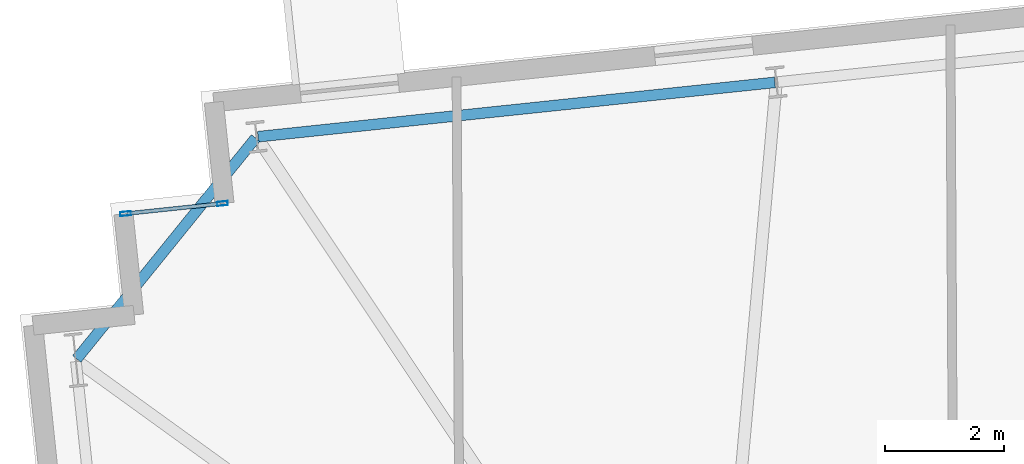
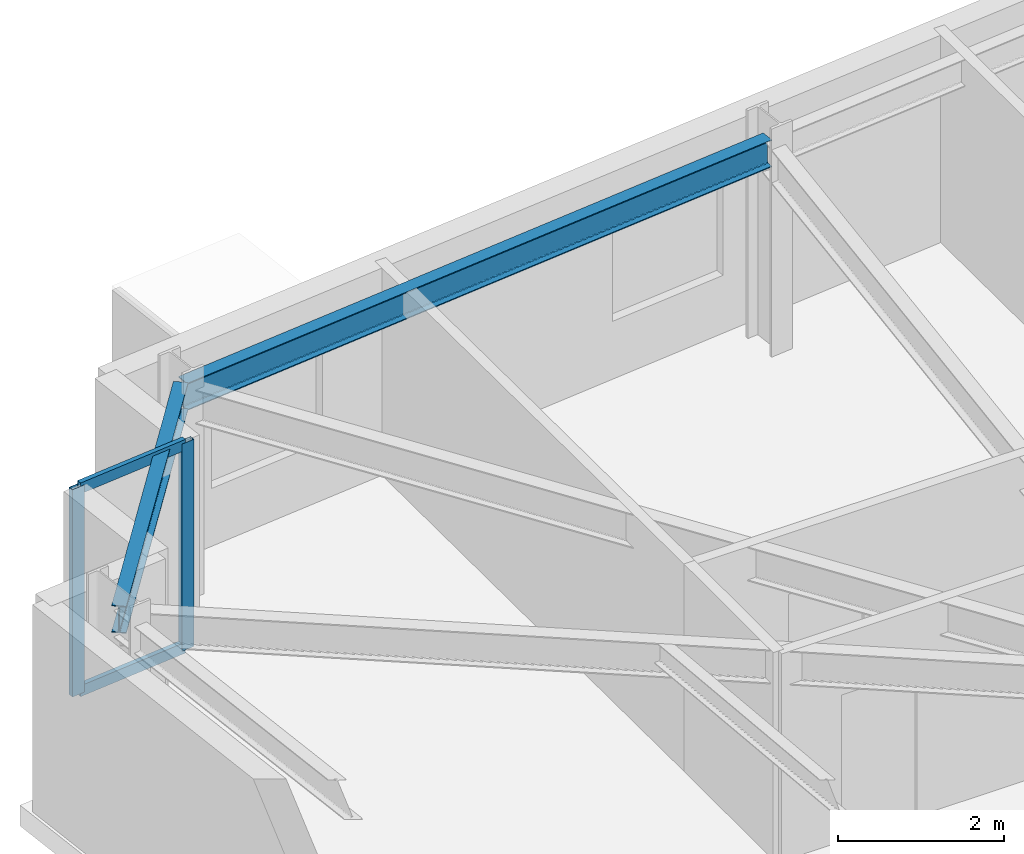
# One storey, part 8 of 18: 4 members, 2 beams, 1 element without a shape of its own.
"""IFC4 building model written with IfcOpenShell, lengths in metres."""

from ifc_helpers import new_model, si_unit, direction, frame, origin, origin_2d, place, context, subcontext, project, spatial, hollow_rectangle, i_section, extrude, material, layer, layer_set, material_profile, profile_set, type_object, element, aggregate, save


model = new_model("IFC4")

# Units and contexts
model_context = context("Model", 3, precision=1e-05, world=origin(), true_north=direction((0.0, 1.0)))
body_context = subcontext(model_context, "Body", "Model", "MODEL_VIEW")
ifc_project = project(units=[si_unit("LENGTHUNIT", "METRE"), si_unit("AREAUNIT", "SQUARE_METRE"), si_unit("VOLUMEUNIT", "CUBIC_METRE"), si_unit("PLANEANGLEUNIT", "RADIAN"), si_unit("MASSUNIT", "GRAM", prefix="KILO")], contexts=[model_context])

# Site, building, storey
site_placement = place(None, origin())
site = spatial("IfcSite", under=ifc_project, at=site_placement, CompositionType="ELEMENT")
building_placement = place(site_placement, origin())
building = spatial("IfcBuilding", under=site, at=building_placement, Name="Qobustan Lattice House", CompositionType="ELEMENT")
storey_placement = place(building_placement, frame((0.0, 0.0, 119.199951171875)))
storey = spatial("IfcBuildingStorey", under=building, at=storey_placement, Name="L33", CompositionType="ELEMENT", Elevation=119.199951171875)

# Beams
ifc_material_1 = material(Name="Steel S355", Category="steel")
ifc_material_profile_1 = material_profile(ifc_material_1, i_section(OverallWidth=0.179931640625, OverallDepth=0.39990234375, WebThickness=0.008544921875, FlangeThickness=0.013427734375, FilletRadius=0.02099609375, at=origin_2d()), Name="IPE400")
ifc_profile_set_1 = profile_set([ifc_material_profile_1], Name="Steel S355")
beam_type = type_object("IfcBeamType", Name="BM-SPD-IPE400", PredefinedType="SPANDREL", material=ifc_profile_set_1)
beam_1_placement = place(storey_placement, frame((-17.7158203125, 17.919189453125, 2.844970703125), z_axis=(-0.994521279781, -0.10453432002, 0.0), x_axis=(0.10453432002, -0.994521279781, 0.0)))
element("IfcBeam", 1, at=beam_1_placement, inside=storey, type_object=beam_type, Name="L33 perimeter spandrel N6-N7", PredefinedType="SPANDREL", context=body_context, shape_type="SweptSolid", body=[
    extrude(i_section(OverallWidth=0.179931640625, OverallDepth=0.39990234375, WebThickness=0.008544921875, FlangeThickness=0.013427734375, FilletRadius=0.02099609375, at=origin_2d()), origin(), (0.0, 0.0, 1.0), 8.69970703125),
])
beam_2_placement = place(storey_placement, frame((-26.40869140625, 16.98779296875, 2.844970703125), z_axis=(-0.629326627121, -0.777140911545, 0.0), x_axis=(0.777140911545, -0.629326627121, 0.0)))
element("IfcBeam", 2, at=beam_2_placement, inside=storey, type_object=beam_type, Name="L33 perimeter spandrel N7-W1", PredefinedType="SPANDREL", context=body_context, shape_type="SweptSolid", body=[
    extrude(i_section(OverallWidth=0.179931640625, OverallDepth=0.39990234375, WebThickness=0.008544921875, FlangeThickness=0.013427734375, FilletRadius=0.02099609375, at=origin_2d()), origin(), (0.0, 0.0, 1.0), 4.758544921875),
])

# Curtain wall, members
ifc_material_2 = material(Name="Anodised aluminium and low-E glazing", Category="aluminium")
ifc_layer = layer(ifc_material_2, 0.219970703125)
ifc_layer_set = layer_set([ifc_layer], Name="Anodised aluminium and low-E glazing")
curtain_wall_type = type_object("IfcCurtainWallType", Name="CW-FAC-01", PredefinedType="USERDEFINED", material=ifc_layer_set)
curtain_wall_placement = place(storey_placement, origin())
curtain_wall = element("IfcCurtainWall", 3, at=curtain_wall_placement, inside=storey, type_object=curtain_wall_type, Name="L33 serrated corner faceted glazing 8", ObjectType="CURTAIN WALL", PredefinedType="USERDEFINED")
ifc_material_3 = material(Name="Anodised aluminium EN AW-6063 T6", Category="aluminium")
ifc_material_profile_2 = material_profile(ifc_material_3, hollow_rectangle(XDim=0.070068359375, YDim=0.179931640625, WallThickness=0.00439453125, at=origin_2d()), Name="CWM-180x70")
ifc_profile_set_2 = profile_set([ifc_material_profile_2], Name="Anodised aluminium EN AW-6063 T6")
member_type_1 = type_object("IfcMemberType", Name="CWM-STD-180", PredefinedType="MULLION", material=ifc_profile_set_2)
member_1_placement = place(storey_placement, frame((-28.58544921875, 15.720947265625, 0.0), z_axis=(0.0, 0.0, 1.0), x_axis=(-0.104528620025, 0.994521878892, 0.0)))
member_1 = element("IfcMember", 4, at=member_1_placement, type_object=member_type_1, Name="CW-F1 mullion 1", PredefinedType="MULLION", context=body_context, shape_type="SweptSolid", body=[
    extrude(hollow_rectangle(XDim=0.070068359375, YDim=0.179931640625, WallThickness=0.00439453125, at=origin_2d()), origin(), (0.0, 0.0, 1.0), 3.045166015625),
])
member_2_placement = place(storey_placement, frame((-26.96435546875, 15.891357421875, 0.0), z_axis=(0.0, 0.0, 1.0), x_axis=(-0.104528620025, 0.994521878892, 0.0)))
member_2 = element("IfcMember", 5, at=member_2_placement, type_object=member_type_1, Name="CW-F1 mullion 2", PredefinedType="MULLION", context=body_context, shape_type="SweptSolid", body=[
    extrude(hollow_rectangle(XDim=0.070068359375, YDim=0.179931640625, WallThickness=0.00439453125, at=origin_2d()), origin(), (0.0, 0.0, 1.0), 3.045166015625),
])
ifc_material_4 = material(Name="Anodised aluminium EN AW-6063 T6", Category="aluminium")
ifc_material_profile_3 = material_profile(ifc_material_4, hollow_rectangle(XDim=0.06494140625, YDim=0.159912109375, WallThickness=0.00390625, at=origin_2d()), Name="CWT-160x65")
ifc_profile_set_3 = profile_set([ifc_material_profile_3], Name="Anodised aluminium EN AW-6063 T6")
member_type_2 = type_object("IfcMemberType", Name="CWT-HOR-160", PredefinedType="USERDEFINED", material=ifc_profile_set_3)
member_3_placement = place(storey_placement, frame((-28.55078125, 15.724609375, 0.032470703125), z_axis=(0.994520877159, 0.104538150424, 0.0), x_axis=(-0.104538150424, 0.994520877159, 0.0)))
member_3 = element("IfcMember", 6, at=member_3_placement, type_object=member_type_2, Name="CW-F1 transom 1.1", ObjectType="TRANSOM", PredefinedType="USERDEFINED", context=body_context, shape_type="SweptSolid", body=[
    extrude(hollow_rectangle(XDim=0.06494140625, YDim=0.159912109375, WallThickness=0.00390625, at=origin_2d()), origin(), (0.0, 0.0, 1.0), 1.56005859375),
])
member_4_placement = place(storey_placement, frame((-28.55078125, 15.724609375, 3.012451171875), z_axis=(0.994520877159, 0.104538150424, 0.0), x_axis=(-0.104538150424, 0.994520877159, 0.0)))
member_4 = element("IfcMember", 7, at=member_4_placement, type_object=member_type_2, Name="CW-F1 transom 1.2", ObjectType="TRANSOM", PredefinedType="USERDEFINED", context=body_context, shape_type="SweptSolid", body=[
    extrude(hollow_rectangle(XDim=0.06494140625, YDim=0.159912109375, WallThickness=0.00390625, at=origin_2d()), origin(), (0.0, 0.0, 1.0), 1.56005859375),
])
aggregate(curtain_wall, [member_1, member_2, member_3, member_4])

save(model, "model.ifc")
